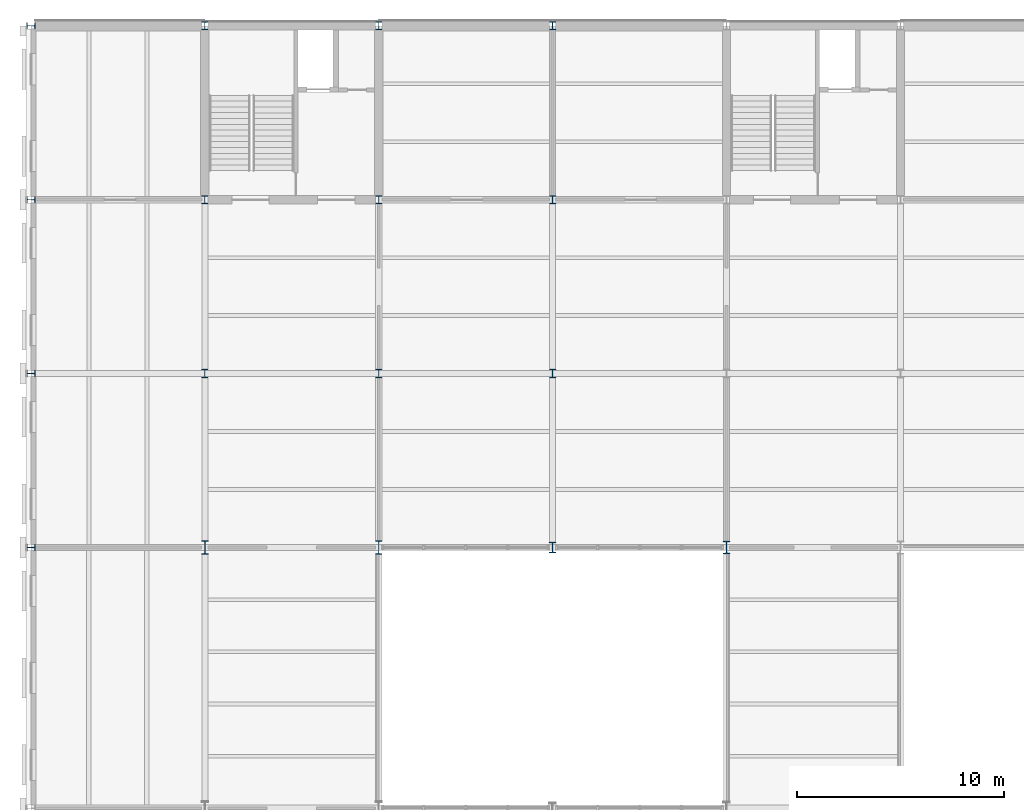
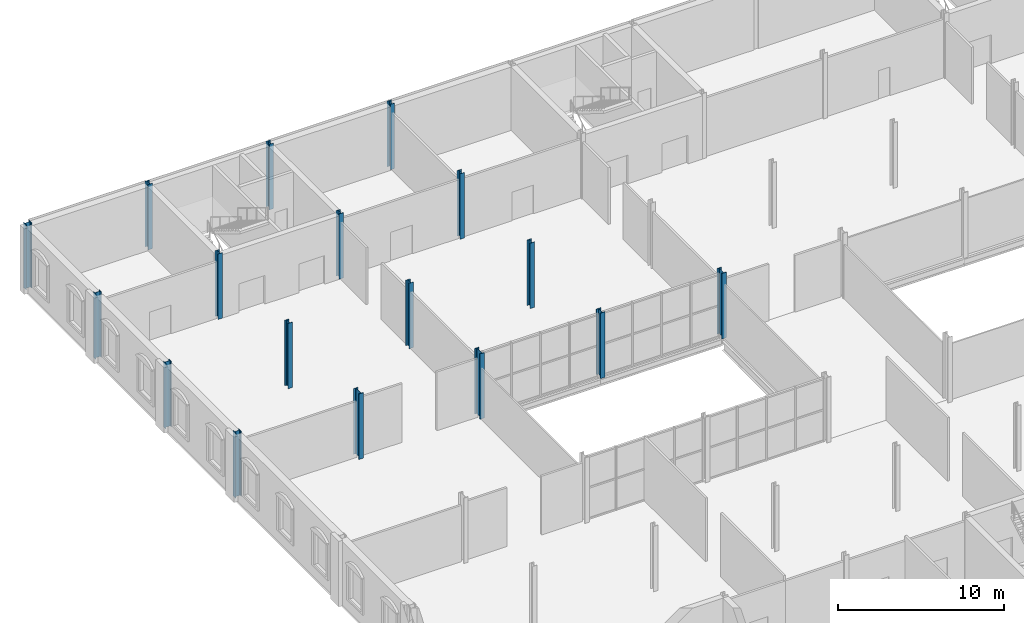
# One storey, part 3 of 57: 17 columns.
"""IFC4 building model written with IfcOpenShell, lengths in metres."""

from ifc_helpers import new_model, si_unit, direction, frame, origin, origin_2d, place, context, subcontext, project, spatial, i_section, extrude, material, material_profile, profile_set, type_object, element, save


model = new_model("IFC4")

# Units and contexts
model_context = context("Model", 3, precision=1e-05, world=origin(), true_north=direction((0.0, 1.0)))
body_context = subcontext(model_context, "Body", "Model", "MODEL_VIEW")
ifc_project = project(units=[si_unit("LENGTHUNIT", "METRE"), si_unit("AREAUNIT", "SQUARE_METRE"), si_unit("VOLUMEUNIT", "CUBIC_METRE"), si_unit("PLANEANGLEUNIT", "RADIAN"), si_unit("MASSUNIT", "GRAM", prefix="KILO")], contexts=[model_context])

# Site, building, storey
site_placement = place(None, origin())
site = spatial("IfcSite", under=ifc_project, at=site_placement, CompositionType="ELEMENT")
building_placement = place(site_placement, origin())
building = spatial("IfcBuilding", under=site, at=building_placement, Name="Galleria Vessillo Department Store", CompositionType="ELEMENT")
storey_placement = place(building_placement, frame((0.0, 0.0, 21.0)))
storey = spatial("IfcBuildingStorey", under=building, at=storey_placement, Name="L04", CompositionType="ELEMENT", Elevation=21.0)

# Columns
ifc_material_1 = material(Name="Steel S355 J2", Category="steel")
ifc_material_profile_1 = material_profile(ifc_material_1, i_section(OverallWidth=0.300048828125, OverallDepth=0.39990234375, WebThickness=0.013427734375, FlangeThickness=0.02392578125, FilletRadius=0.027099609375, at=origin_2d()), Name="HEB 400")
ifc_profile_set_1 = profile_set([ifc_material_profile_1], Name="Steel S355 J2")
column_type_1 = type_object("IfcColumnType", Name="Steel column HEB 400 CP2", PredefinedType="COLUMN", material=ifc_profile_set_1)
for number, where, z_axis, x_axis, name in (
    (1, (0.0, 37.800048828125, 0.0), (0.0, 0.0, 1.0), (0.0, 1.0, 0.0), "S-COL-L04-1-E"),
    (2, (0.0, 46.199951171875, 0.0), (0.0, 0.0, 1.0), (0.0, 1.0, 0.0), "S-COL-L04-1-F"),
    (3, (0.0, 54.60009765625, 0.0), (0.0, 0.0, 1.0), (0.0, 1.0, 0.0), "S-COL-L04-1-G"),
    (4, (0.0, 63.0, 0.0), (0.0, 0.0, 1.0), (0.0, 1.0, 0.0), "S-COL-L04-1-H"),
    (5, (8.39990234375, 46.199951171875, 0.0), (0.0, 0.0, 1.0), (1.0, 0.0, 0.0), "S-COL-L04-2-F"),
    (6, (8.39990234375, 54.60009765625, 0.0), (0.0, 0.0, 1.0), (1.0, 0.0, 0.0), "S-COL-L04-2-G"),
    (7, (8.39990234375, 63.0, 0.0), (0.0, 0.0, 1.0), (1.0, 0.0, 0.0), "S-COL-L04-2-H"),
    (8, (16.800048828125, 46.199951171875, 0.0), (0.0, 0.0, 1.0), (1.0, 0.0, 0.0), "S-COL-L04-3-F"),
    (9, (16.800048828125, 54.60009765625, 0.0), (0.0, 0.0, 1.0), (1.0, 0.0, 0.0), "S-COL-L04-3-G"),
    (10, (16.800048828125, 63.0, 0.0), (0.0, 0.0, 1.0), (1.0, 0.0, 0.0), "S-COL-L04-3-H"),
    (11, (25.199951171875, 46.199951171875, 0.0), (0.0, 0.0, 1.0), (1.0, 0.0, 0.0), "S-COL-L04-4-F"),
    (12, (25.199951171875, 54.60009765625, 0.0), (0.0, 0.0, 1.0), (1.0, 0.0, 0.0), "S-COL-L04-4-G"),
    (13, (25.199951171875, 63.0, 0.0), (0.0, 0.0, 1.0), (1.0, 0.0, 0.0), "S-COL-L04-4-H"),
):
    element("IfcColumn", number, at=place(storey_placement, frame(where, z_axis=z_axis, x_axis=x_axis)), inside=storey, type_object=column_type_1, Name=name, PredefinedType="COLUMN", context=body_context, shape_type="SweptSolid", body=[
        extrude(i_section(OverallWidth=0.300048828125, OverallDepth=0.39990234375, WebThickness=0.013427734375, FlangeThickness=0.02392578125, FilletRadius=0.027099609375, at=origin_2d()), origin(), (0.0, 0.0, 1.0), 4.800048828125),
    ])
ifc_material_2 = material(Name="Steel S355 J2", Category="steel")
ifc_material_profile_2 = material_profile(ifc_material_2, i_section(OverallWidth=0.305908203125, OverallDepth=0.52392578125, WebThickness=0.02099609375, FlangeThickness=0.0400390625, FilletRadius=0.027099609375, at=origin_2d()), Name="HEM 500")
ifc_profile_set_2 = profile_set([ifc_material_profile_2], Name="Steel S355 J2")
column_type_2 = type_object("IfcColumnType", Name="Steel column HEM 500 CV1", PredefinedType="COLUMN", material=ifc_profile_set_2)
column_1_placement = place(storey_placement, frame((25.199951171875, 37.800048828125, 0.0), z_axis=(0.0, 0.0, 1.0), x_axis=(1.0, 0.0, 0.0)))
element("IfcColumn", 14, at=column_1_placement, inside=storey, type_object=column_type_2, Name="S-COL-L04-4-E", PredefinedType="COLUMN", context=body_context, shape_type="SweptSolid", body=[
    extrude(i_section(OverallWidth=0.305908203125, OverallDepth=0.52392578125, WebThickness=0.02099609375, FlangeThickness=0.0400390625, FilletRadius=0.027099609375, at=origin_2d()), origin(), (0.0, 0.0, 1.0), 4.800048828125),
])
ifc_material_3 = material(Name="Steel S355 J2", Category="steel")
ifc_material_profile_3 = material_profile(ifc_material_3, i_section(OverallWidth=0.304931640625, OverallDepth=0.6201171875, WebThickness=0.02099609375, FlangeThickness=0.0400390625, FilletRadius=0.027099609375, at=origin_2d()), Name="HEM 600")
ifc_profile_set_3 = profile_set([ifc_material_profile_3], Name="Steel S355 J2")
column_type_3 = type_object("IfcColumnType", Name="Steel column HEM 600 CV2", PredefinedType="COLUMN", material=ifc_profile_set_3)
column_2_placement = place(storey_placement, frame((33.60009765625, 37.800048828125, 0.0), z_axis=(0.0, 0.0, 1.0), x_axis=(1.0, 0.0, 0.0)))
element("IfcColumn", 15, at=column_2_placement, inside=storey, type_object=column_type_3, Name="S-COL-L04-5-E", PredefinedType="COLUMN", context=body_context, shape_type="SweptSolid", body=[
    extrude(i_section(OverallWidth=0.304931640625, OverallDepth=0.6201171875, WebThickness=0.02099609375, FlangeThickness=0.0400390625, FilletRadius=0.027099609375, at=origin_2d()), origin(), (0.0, 0.0, 1.0), 4.800048828125),
])
ifc_material_4 = material(Name="Steel S355 J2", Category="steel")
ifc_material_profile_4 = material_profile(ifc_material_4, i_section(OverallWidth=0.304931640625, OverallDepth=0.66796875, WebThickness=0.02099609375, FlangeThickness=0.0400390625, FilletRadius=0.027099609375, at=origin_2d()), Name="HEM 650")
ifc_profile_set_4 = profile_set([ifc_material_profile_4], Name="Steel S355 J2")
column_type_4 = type_object("IfcColumnType", Name="Steel column HEM 650 CV3", PredefinedType="COLUMN", material=ifc_profile_set_4)
for number, where, z_axis, x_axis, name in (
    (16, (8.39990234375, 37.800048828125, 0.0), (0.0, 0.0, 1.0), (1.0, 0.0, 0.0), "S-COL-L04-2-E"),
    (17, (16.800048828125, 37.800048828125, 0.0), (0.0, 0.0, 1.0), (1.0, 0.0, 0.0), "S-COL-L04-3-E"),
):
    element("IfcColumn", number, at=place(storey_placement, frame(where, z_axis=z_axis, x_axis=x_axis)), inside=storey, type_object=column_type_4, Name=name, PredefinedType="COLUMN", context=body_context, shape_type="SweptSolid", body=[
        extrude(i_section(OverallWidth=0.304931640625, OverallDepth=0.66796875, WebThickness=0.02099609375, FlangeThickness=0.0400390625, FilletRadius=0.027099609375, at=origin_2d()), origin(), (0.0, 0.0, 1.0), 4.800048828125),
    ])

save(model, "model.ifc")
